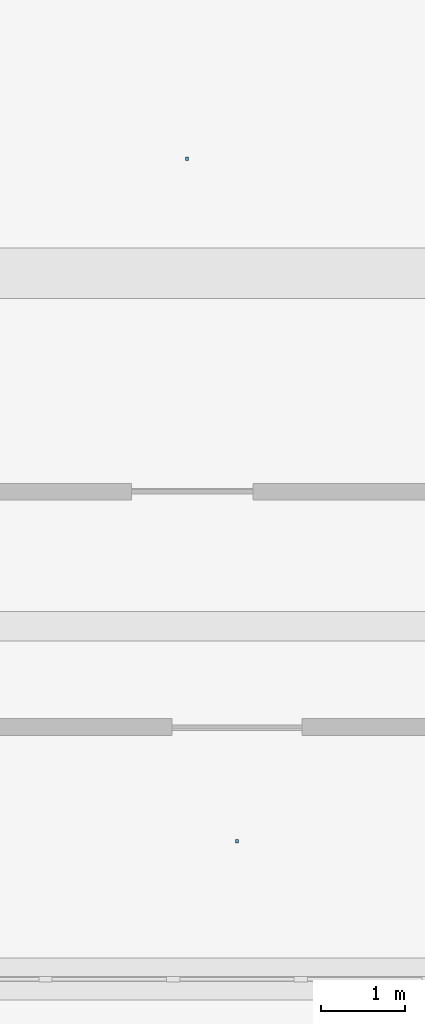
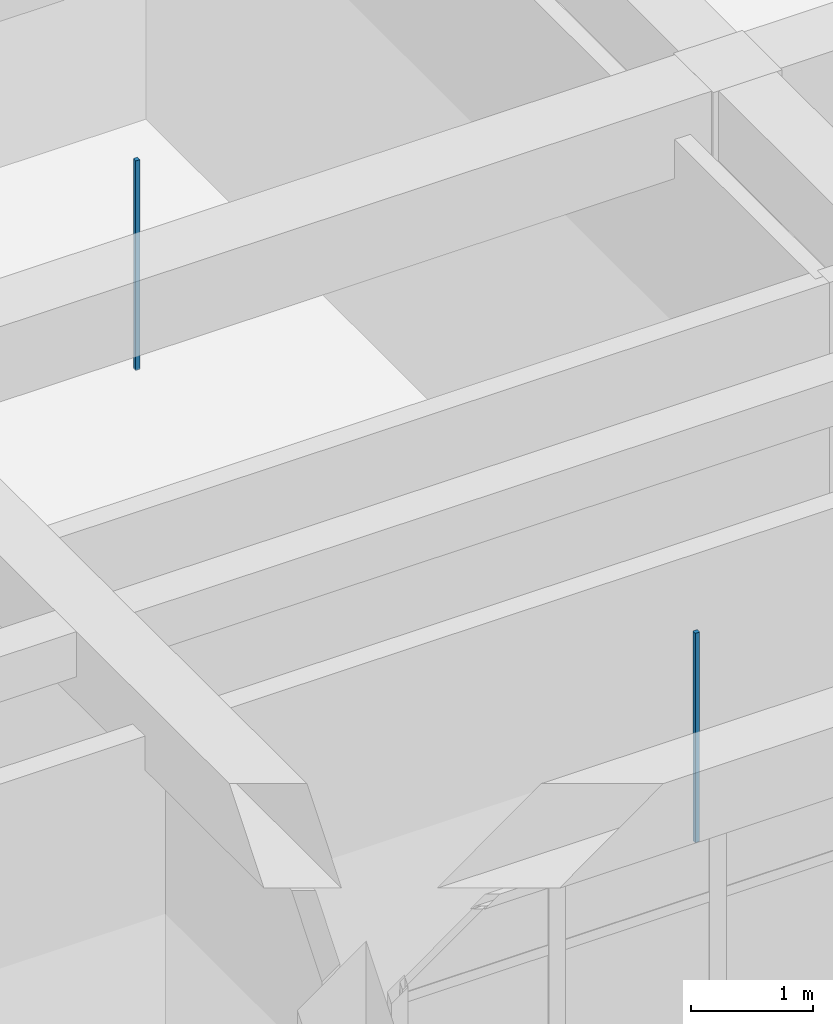
# One storey, part 112 of 167: 2 discrete accessories.
"""IFC4 building model written with IfcOpenShell, lengths in metres."""

from ifc_helpers import new_model, si_unit, direction, frame, origin, origin_2d, place, context, subcontext, project, spatial, rectangle, extrude, material, type_object, element, save


model = new_model("IFC4")

# Units and contexts
model_context = context("Model", 3, precision=1e-05, world=origin(), true_north=direction((0.0, 1.0)))
body_context = subcontext(model_context, "Body", "Model", "MODEL_VIEW")
ifc_project = project(units=[si_unit("LENGTHUNIT", "METRE"), si_unit("AREAUNIT", "SQUARE_METRE"), si_unit("VOLUMEUNIT", "CUBIC_METRE"), si_unit("PLANEANGLEUNIT", "RADIAN"), si_unit("MASSUNIT", "GRAM", prefix="KILO")], contexts=[model_context])

# Site, building, storey
site_placement = place(None, origin())
site = spatial("IfcSite", under=ifc_project, at=site_placement, CompositionType="ELEMENT")
building_placement = place(site_placement, origin())
building = spatial("IfcBuilding", under=site, at=building_placement, Name="Varncliffe General Hospital", CompositionType="ELEMENT")
storey_placement = place(building_placement, origin())
storey = spatial("IfcBuildingStorey", under=building, at=storey_placement, Name="L00", CompositionType="ELEMENT", Elevation=0.0)

# Discrete accessories
ifc_material = material(Name="Powder-coated hospital steel guardrail and handrail", Category="steel")
discrete_accessory_type = type_object("IfcDiscreteAccessoryType", Name="Suspended Ceiling Hanger Bracket CH01", PredefinedType="BRACKET", material=ifc_material)
for number, where, z_axis, x_axis, name in (
    (1, (121.800048828125, 84.4423828125, 3.18994140625), (0.0, 0.0, 1.0), (1.0, 0.0, 0.0), "L00 Suspended Ceiling Hanger 49"),
    (2, (121.205078125, 92.56005859375, 3.18994140625), (0.0, 0.0, 1.0), (1.0, 0.0, 0.0), "L00 Suspended Ceiling Hanger 56"),
):
    element("IfcDiscreteAccessory", number, at=place(storey_placement, frame(where, z_axis=z_axis, x_axis=x_axis)), inside=storey, type_object=discrete_accessory_type, Name=name, PredefinedType="BRACKET", context=body_context, shape_type="SweptSolid", body=[
        extrude(rectangle(XDim=0.0400390625, YDim=0.0400390625, at=origin_2d()), origin(), (0.0, 0.0, 1.0), 2.090087890625),
    ])

save(model, "model.ifc")
